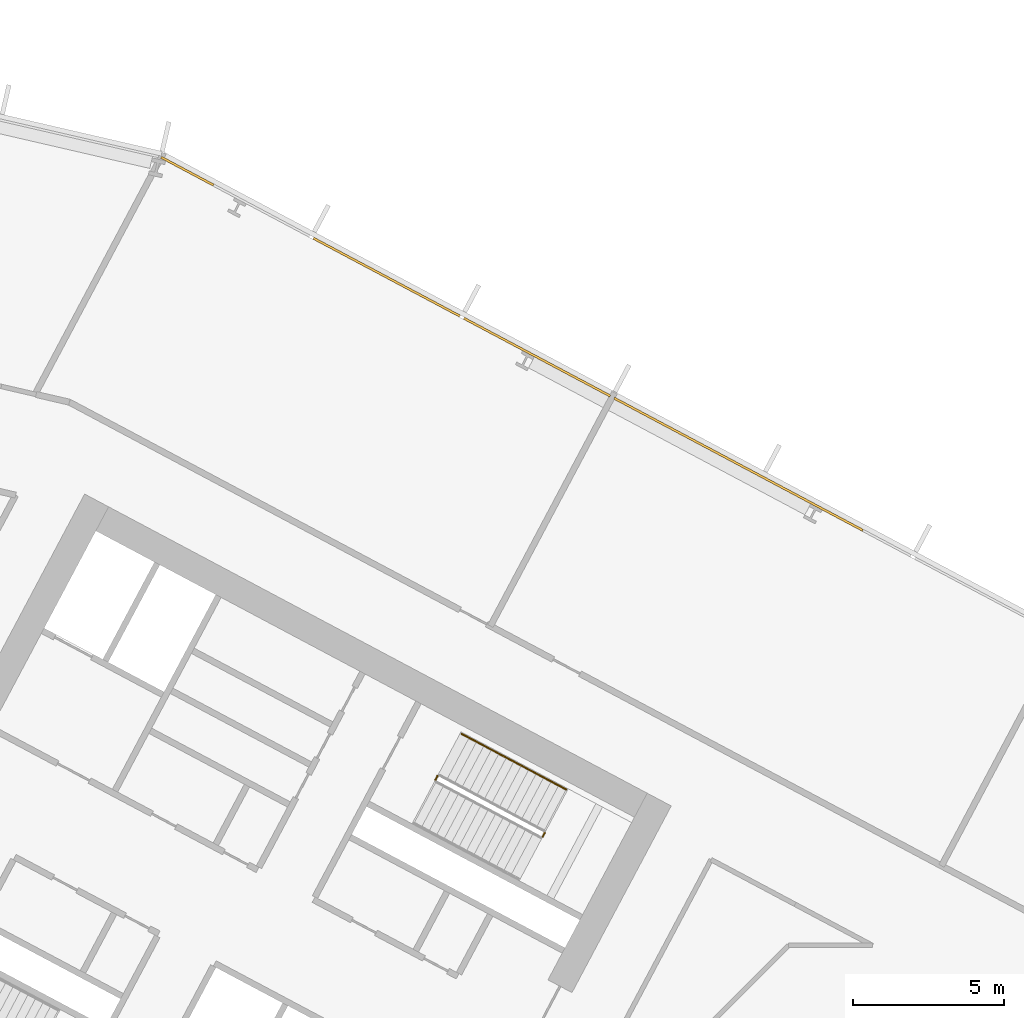
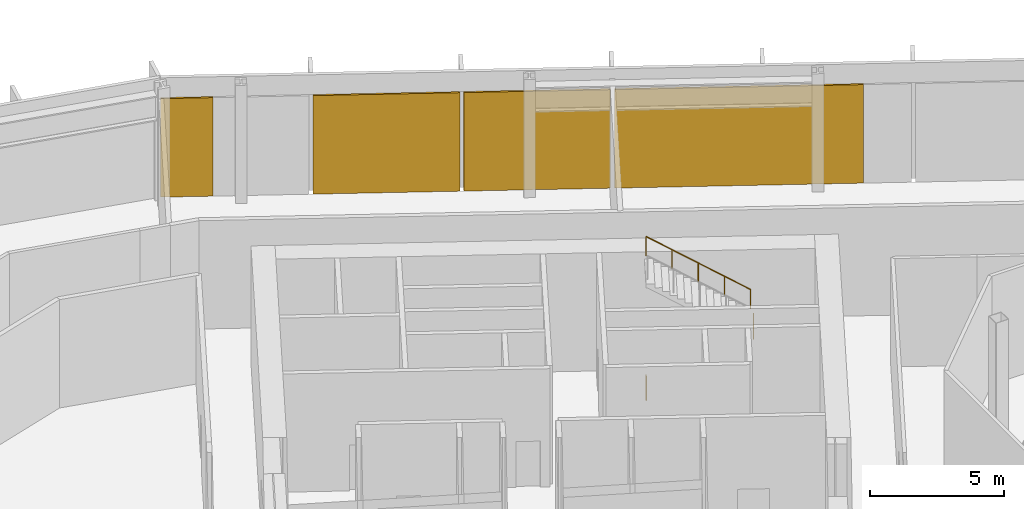
# One storey, part 24 of 31: 4 coverings, 3 railings, 1 element without a shape of its own.
"""IFC4 building model written with IfcOpenShell, lengths in metres."""

from ifc_helpers import new_model, si_unit, direction, frame, origin, origin_2d, place, context, subcontext, project, spatial, polyline, rectangle, outline, extrude, material, layer, layer_set, type_object, element, aggregate, save


model = new_model("IFC4")

# Units and contexts
model_context = context("Model", 3, precision=1e-05, world=origin(), true_north=direction((0.0, 1.0)))
body_context = subcontext(model_context, "Body", "Model", "MODEL_VIEW")
ifc_project = project(units=[si_unit("LENGTHUNIT", "METRE"), si_unit("AREAUNIT", "SQUARE_METRE"), si_unit("VOLUMEUNIT", "CUBIC_METRE"), si_unit("PLANEANGLEUNIT", "RADIAN"), si_unit("MASSUNIT", "GRAM", prefix="KILO")], contexts=[model_context])

# Site, building, storey
site_placement = place(None, origin())
site = spatial("IfcSite", under=ifc_project, at=site_placement, CompositionType="ELEMENT")
building_placement = place(site_placement, origin())
building = spatial("IfcBuilding", under=site, at=building_placement, Name="Cormorant Relay Tower", CompositionType="ELEMENT")
storey_placement = place(building_placement, frame((0.0, 0.0, 50.0)))
storey = spatial("IfcBuildingStorey", under=building, at=storey_placement, Name="L09", CompositionType="ELEMENT", Elevation=50.0)

# Curtain wall, coverings
ifc_material_1 = material(Name="Aluminium 6063-T6 anodised bronze", Category="aluminium")
ifc_layer_1 = layer(ifc_material_1, 0.235107421875)
ifc_layer_set_1 = layer_set([ifc_layer_1], Name="CW6 data hall curtain wall with mineral wool panels")
curtain_wall_type = type_object("IfcCurtainWallType", Name="CW6 data hall curtain wall with mineral wool panels", PredefinedType="NOTDEFINED", material=ifc_layer_set_1)
curtain_wall_placement = place(storey_placement, origin())
curtain_wall = element("IfcCurtainWall", 1, at=curtain_wall_placement, inside=storey, type_object=curtain_wall_type, Name="CW6 curtain wall 7", PredefinedType="NOTDEFINED")
ifc_material_2 = material(Name="Mineral wool cored anodised bronze aluminium cassette panel", Category="aluminium")
ifc_layer_2 = layer(ifc_material_2, 0.074951171875)
ifc_layer_set_2 = layer_set([ifc_layer_2], Name="CW6 mineral wool cassette panel 75")
covering_type = type_object("IfcCoveringType", Name="CW6 mineral wool cassette panel 75", PredefinedType="CLADDING", material=ifc_layer_set_2)
covering_1_placement = place(storey_placement, frame((-10.735107421875, 29.5341796875, 0.0), z_axis=(0.0, 0.0, 1.0), x_axis=(-0.882947592859, 0.469471562786, 0.0)))
covering_1 = element("IfcCovering", 2, at=covering_1_placement, type_object=covering_type, Name="CW6 panel S02", PredefinedType="CLADDING", context=body_context, shape_type="SweptSolid", body=[
    extrude(rectangle(XDim=9.327880859375, YDim=0.074951171875, at=origin_2d()), origin(), (0.0, 0.0, 1.0), 4.5),
])
covering_2_placement = place(storey_placement, frame((-17.40869140625, 33.082763671875, 0.0), z_axis=(0.0, 0.0, 1.0), x_axis=(-0.882947592859, 0.469471562786, 0.0)))
covering_2 = element("IfcCovering", 3, at=covering_2_placement, type_object=covering_type, Name="CW6 panel S03", PredefinedType="CLADDING", context=body_context, shape_type="SweptSolid", body=[
    extrude(rectangle(XDim=5.489013671875, YDim=0.074951171875, at=origin_2d()), origin(), (0.0, 0.0, 1.0), 4.5),
])
covering_3_placement = place(storey_placement, frame((-22.3876953125, 35.730224609375, 0.0), z_axis=(0.0, 0.0, 1.0), x_axis=(-0.882947592859, 0.469471562786, 0.0)))
covering_3 = element("IfcCovering", 4, at=covering_3_placement, type_object=covering_type, Name="CW6 panel S04", PredefinedType="CLADDING", context=body_context, shape_type="SweptSolid", body=[
    extrude(rectangle(XDim=5.489013671875, YDim=0.074951171875, at=origin_2d()), origin(), (0.0, 0.0, 1.0), 4.5),
])
covering_4_placement = place(storey_placement, frame((-28.989013671875, 39.240234375, 0.0), z_axis=(0.0, 0.0, 1.0), x_axis=(-0.882947592859, 0.469471562786, 0.0)))
covering_4 = element("IfcCovering", 5, at=covering_4_placement, type_object=covering_type, Name="CW6 panel S06", PredefinedType="CLADDING", context=body_context, shape_type="SweptSolid", body=[
    extrude(rectangle(XDim=1.964111328125, YDim=0.074951171875, at=origin_2d()), origin(), (0.0, 0.0, 1.0), 4.5),
])
aggregate(curtain_wall, [covering_1, covering_2, covering_3, covering_4])

# Railings
ifc_material_3 = material(Name="Steel ASTM A572 Grade 50 (Fy 345 MPa)", Category="steel")
railing_type_1 = type_object("IfcRailingType", Name="Stair guard 1100", PredefinedType="GUARDRAIL", material=ifc_material_3)
railing_1_placement = place(storey_placement, frame((-17.2216796875, 17.1982421875, 2.699951171875)))
element("IfcRailing", 6, at=railing_1_placement, inside=storey, type_object=railing_type_1, Name="L09 A1 stair guard 2", PredefinedType="GUARDRAIL", context=body_context, shape_type="SweptSolid", body=[
    extrude(outline(polyline([(0.022216796875, 0.00927734375), (0.00927734375, 0.022216796875), (-0.00927734375, 0.022216796875), (-0.022216796875, 0.00927734375), (-0.022216796875, -0.00927734375), (-0.00927734375, -0.022216796875), (0.00927734375, -0.022216796875), (0.022216796875, -0.00927734375), (0.022216796875, 0.00927734375)])), frame((0.0, 0.0, 1.076171875), z_axis=(0.469234640946, 0.883073525669, 0.0), x_axis=(-0.883073525669, 0.469234640946, 0.0)), (0.0, 0.0, 1.0), 0.14990234375),
    extrude(outline(polyline([(0.019287109375, 0.008056640625), (0.008056640625, 0.019287109375), (-0.008056640625, 0.019287109375), (-0.019287109375, 0.008056640625), (-0.019287109375, -0.008056640625), (-0.008056640625, -0.019287109375), (0.008056640625, -0.019287109375), (0.019287109375, -0.008056640625), (0.019287109375, 0.008056640625)])), origin(), (0.0, 0.0, 1.0), 1.052001953125),
    extrude(outline(polyline([(0.019287109375, 0.008056640625), (0.008056640625, 0.019287109375), (-0.008056640625, 0.019287109375), (-0.019287109375, 0.008056640625), (-0.019287109375, -0.008056640625), (-0.008056640625, -0.019287109375), (0.008056640625, -0.019287109375), (0.019287109375, -0.008056640625), (0.019287109375, 0.008056640625)])), frame((0.0703125, 0.13232421875, 0.0)), (0.0, 0.0, 1.0), 1.052001953125),
])
railing_2_placement = place(storey_placement, frame((-20.771240234375, 19.08544921875, 0.0)))
element("IfcRailing", 7, at=railing_2_placement, inside=storey, type_object=railing_type_1, Name="L09 A1 stair guard 4", PredefinedType="GUARDRAIL", context=body_context, shape_type="SweptSolid", body=[
    extrude(outline(polyline([(0.022216796875, 0.00927734375), (0.00927734375, 0.022216796875), (-0.00927734375, 0.022216796875), (-0.022216796875, 0.00927734375), (-0.022216796875, -0.00927734375), (-0.00927734375, -0.022216796875), (0.00927734375, -0.022216796875), (0.022216796875, -0.00927734375), (0.022216796875, 0.00927734375)])), frame((0.0, 0.0, 1.076171875), z_axis=(0.469828648786, 0.882757634224, 0.0), x_axis=(-0.882757634224, 0.469828648786, 0.0)), (0.0, 0.0, 1.0), 0.150146484375),
    extrude(outline(polyline([(0.019287109375, 0.008056640625), (0.008056640625, 0.019287109375), (-0.008056640625, 0.019287109375), (-0.019287109375, 0.008056640625), (-0.019287109375, -0.008056640625), (-0.008056640625, -0.019287109375), (0.008056640625, -0.019287109375), (0.019287109375, -0.008056640625), (0.019287109375, 0.008056640625)])), origin(), (0.0, 0.0, 1.0), 1.052001953125),
    extrude(outline(polyline([(0.019287109375, 0.008056640625), (0.008056640625, 0.019287109375), (-0.008056640625, 0.019287109375), (-0.019287109375, 0.008056640625), (-0.019287109375, -0.008056640625), (-0.008056640625, -0.019287109375), (0.008056640625, -0.019287109375), (0.019287109375, -0.008056640625), (0.019287109375, 0.008056640625)])), frame((0.070556640625, 0.132568359375, 0.0)), (0.0, 0.0, 1.0), 1.052001953125),
])
ifc_material_4 = material(Name="Steel ASTM A572 Grade 50 (Fy 345 MPa)", Category="steel")
railing_type_2 = type_object("IfcRailingType", Name="Stair handrail 900", PredefinedType="HANDRAIL", material=ifc_material_4)
railing_3_placement = place(storey_placement, frame((-16.4443359375, 18.766845703125, 2.8798828125)))
element("IfcRailing", 8, at=railing_3_placement, inside=storey, type_object=railing_type_2, Name="L09 A1 stair handrail 2", PredefinedType="HANDRAIL", context=body_context, shape_type="SweptSolid", body=[
    extrude(outline(polyline([(0.022216796875, 0.00927734375), (0.00927734375, 0.022216796875), (-0.00927734375, 0.022216796875), (-0.022216796875, 0.00927734375), (-0.022216796875, -0.00927734375), (-0.00927734375, -0.022216796875), (0.00927734375, -0.022216796875), (0.022216796875, -0.00927734375), (0.022216796875, 0.00927734375)])), frame((0.0, 0.0, 0.8759765625), z_axis=(-0.74271721126, 0.394907409077, 0.540758062681), x_axis=(-0.469469396681, -0.882948744594, 0.0)), (0.0, 0.0, 1.0), 4.66015625),
    extrude(outline(polyline([(0.019287109375, 0.008056640625), (0.008056640625, 0.019287109375), (-0.008056640625, 0.019287109375), (-0.019287109375, 0.008056640625), (-0.019287109375, -0.008056640625), (-0.008056640625, -0.019287109375), (0.008056640625, -0.019287109375), (0.019287109375, -0.008056640625), (0.019287109375, 0.008056640625)])), origin(), (0.0, 0.0, 1.0), 0.851806640625),
    extrude(outline(polyline([(0.019287109375, 0.008056640625), (0.008056640625, 0.019287109375), (-0.008056640625, 0.019287109375), (-0.019287109375, 0.008056640625), (-0.019287109375, -0.008056640625), (-0.008056640625, -0.019287109375), (0.008056640625, -0.019287109375), (0.019287109375, -0.008056640625), (0.019287109375, 0.008056640625)])), frame((-0.865234375, 0.4599609375, 0.6298828125)), (0.0, 0.0, 1.0), 0.851806640625),
    extrude(outline(polyline([(0.019287109375, 0.008056640625), (0.008056640625, 0.019287109375), (-0.008056640625, 0.019287109375), (-0.019287109375, 0.008056640625), (-0.019287109375, -0.008056640625), (-0.008056640625, -0.019287109375), (0.008056640625, -0.019287109375), (0.019287109375, -0.008056640625), (0.019287109375, 0.008056640625)])), frame((-1.73046875, 0.920166015625, 1.260009765625)), (0.0, 0.0, 1.0), 0.851806640625),
    extrude(outline(polyline([(0.019287109375, 0.008056640625), (0.008056640625, 0.019287109375), (-0.008056640625, 0.019287109375), (-0.019287109375, 0.008056640625), (-0.019287109375, -0.008056640625), (-0.008056640625, -0.019287109375), (0.008056640625, -0.019287109375), (0.019287109375, -0.008056640625), (0.019287109375, 0.008056640625)])), frame((-2.595947265625, 1.38037109375, 1.89013671875)), (0.0, 0.0, 1.0), 0.851806640625),
    extrude(outline(polyline([(0.019287109375, 0.008056640625), (0.008056640625, 0.019287109375), (-0.008056640625, 0.019287109375), (-0.019287109375, 0.008056640625), (-0.019287109375, -0.008056640625), (-0.008056640625, -0.019287109375), (0.008056640625, -0.019287109375), (0.019287109375, -0.008056640625), (0.019287109375, 0.008056640625)])), frame((-3.461181640625, 1.84033203125, 2.52001953125)), (0.0, 0.0, 1.0), 0.851806640625),
])

save(model, "model.ifc")
